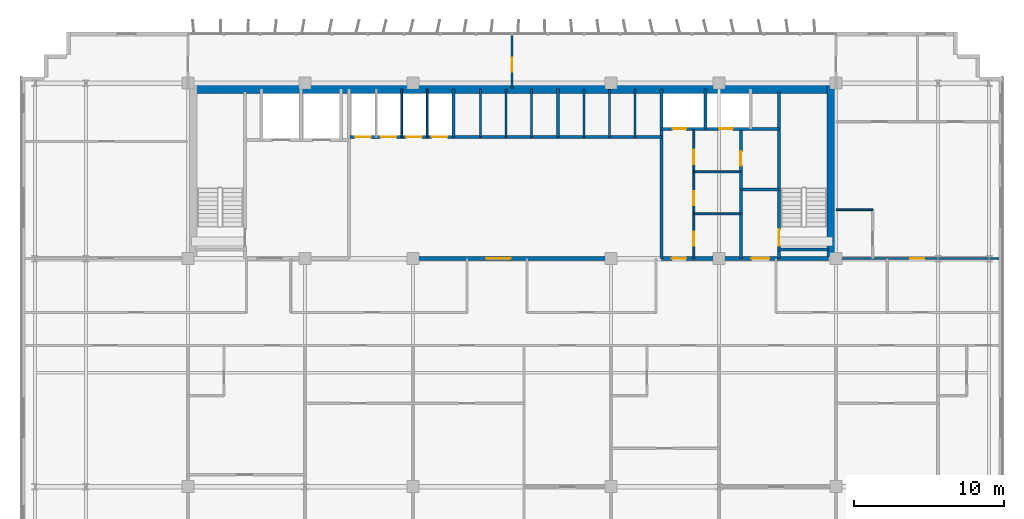
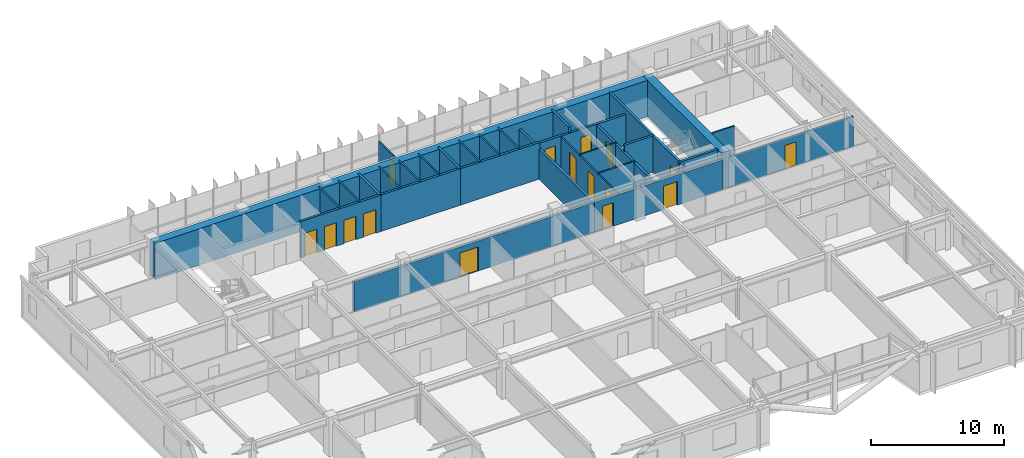
# One storey, part 22 of 26: 30 walls, 16 doors, 16 openings.
"""IFC4 building model written with IfcOpenShell, lengths in metres."""

from ifc_helpers import new_model, si_unit, direction, frame, frame_2d, origin, place, context, subcontext, project, spatial, rectangle, extrude, source, transform, mapped, material, layer, layer_set, type_object, element, fill, save


model = new_model("IFC4")

# Units and contexts
model_context = context("Model", 3, precision=1e-05, world=origin(), true_north=direction((0.0, 1.0)))
body_context = subcontext(model_context, "Body", "Model", "MODEL_VIEW")
ifc_project = project(units=[si_unit("LENGTHUNIT", "METRE"), si_unit("AREAUNIT", "SQUARE_METRE"), si_unit("VOLUMEUNIT", "CUBIC_METRE"), si_unit("PLANEANGLEUNIT", "RADIAN"), si_unit("MASSUNIT", "GRAM", prefix="KILO")], contexts=[model_context])

# Site, building, storey
site_placement = place(None, origin())
site = spatial("IfcSite", under=ifc_project, at=site_placement, CompositionType="ELEMENT")
building_placement = place(site_placement, origin())
building = spatial("IfcBuilding", under=site, at=building_placement, Name="Trelvane Seafront Commons", CompositionType="ELEMENT")
storey_placement = place(building_placement, frame((0.0, 0.0, 124.89990234375)))
storey = spatial("IfcBuildingStorey", under=building, at=storey_placement, Name="L32", CompositionType="ELEMENT", Elevation=124.89990234375)

# Wall, opening, door
ifc_material_1 = material(Name="Concrete C40/50", Category="concrete")
ifc_layer_1 = layer(ifc_material_1, 0.199951171875, Name="ARCH-WALL-FIRE200")
ifc_layer_set_1 = layer_set([ifc_layer_1], Name="Concrete C40/50")
wall_type_1 = type_object("IfcWallType", Name="ARCH-WALL-FIRE200", PredefinedType="PARTITIONING", material=ifc_layer_set_1)
wall_1_placement = place(storey_placement, frame((52.449951171875, 33.39990234375, 0.0), z_axis=(0.0, 0.0, 1.0), x_axis=(0.0, 1.0, 0.0)))
wall_1 = element("IfcWall", 1, at=wall_1_placement, inside=storey, type_object=wall_type_1, Name="W-L32-ST2V-W-033", PredefinedType="PARTITIONING", context=body_context, shape_type="SweptSolid", body=[
    extrude(rectangle(XDim=8.650146484375, YDim=0.199951171875, at=frame_2d((4.3251953125, 0.0))), origin(), (0.0, 0.0, 1.0), 2.752197265625),
])
opening_1_placement = place(wall_1_placement, frame((6.199951171875, 0.0, 0.0)))
opening_1 = element("IfcOpeningElement", 2, at=opening_1_placement, cuts=wall_1, Name="Opening FD-L32-13", PredefinedType="OPENING", context=body_context, shape_type="SweptSolid", body=[
    extrude(rectangle(XDim=0.949951171875, YDim=2.14990234375, at=frame_2d((0.47509765625, 1.074951171875))), frame((0.0, 0.10986328125, 0.0), z_axis=(0.0, -1.0, 0.0), x_axis=(1.0, 0.0, 0.0)), (0.0, 0.0, 1.0), 0.219970703125),
])
ifc_material_2 = material(Name="Powder-coated aluminium frame", Category="aluminium")
door_type_1 = type_object("IfcDoorType", Name="ARCH-DR-FD60-950", OperationType="NOTDEFINED", PredefinedType="DOOR", material=ifc_material_2)
shared_shape_1 = source(origin(), body_context, "Body", "SweptSolid", [
    extrude(rectangle(XDim=0.949951171875, YDim=2.14990234375, at=frame_2d((0.47509765625, 1.074951171875))), frame((0.0, 0.02490234375, 0.0), z_axis=(0.0, -1.0, 0.0), x_axis=(1.0, 0.0, 0.0)), (0.0, 0.0, 1.0), 0.050048828125),
])
door_1_placement = place(opening_1_placement, origin())
door_1 = element("IfcDoor", 3, at=door_1_placement, inside=storey, type_object=door_type_1, Name="L32 Cleaner Store Door", OperationType="SINGLE_SWING_LEFT", OverallHeight=2.14990234375, OverallWidth=0.949951171875, PredefinedType="DOOR", context=body_context, shape_type="MappedRepresentation", body=[
    mapped(shared_shape_1, transform((0.0, 0.0, 0.0), x_axis=(1.0, 0.0, 0.0), y_axis=(0.0, 1.0, 0.0), z_axis=(0.0, 0.0, 1.0), scale=1.0)),
])
fill(opening_1, door_1)

# Wall
wall_2_placement = place(storey_placement, frame((52.449951171875, 38.0, 0.0), z_axis=(0.0, 0.0, 1.0), x_axis=(1.0, 0.0, 0.0)))
element("IfcWall", 4, at=wall_2_placement, inside=storey, type_object=wall_type_1, Name="W-L32-ST2V-N-034", PredefinedType="PARTITIONING", context=body_context, shape_type="SweptSolid", body=[
    extrude(rectangle(XDim=2.550048828125, YDim=0.199951171875, at=frame_2d((1.27490234375, 0.0))), origin(), (0.0, 0.0, 1.0), 3.340087890625),
])

# Wall, opening, door
ifc_layer_2 = layer(ifc_material_1, 0.25, Name="ARCH-WALL-FIRE250")
ifc_layer_set_2 = layer_set([ifc_layer_2], Name="Concrete C40/50")
wall_type_2 = type_object("IfcWallType", Name="ARCH-WALL-FIRE250", PredefinedType="PARTITIONING", material=ifc_layer_set_2)
wall_3_placement = place(storey_placement, frame((26.300048828125, 33.39990234375, 0.0), z_axis=(0.0, 0.0, 1.0), x_axis=(1.0, 0.0, 0.0)))
wall_3 = element("IfcWall", 5, at=wall_3_placement, inside=storey, type_object=wall_type_2, Name="W-L32-CS-PAX-029", PredefinedType="PARTITIONING", context=body_context, shape_type="SweptSolid", body=[
    extrude(rectangle(XDim=20.849853515625, YDim=0.25, at=frame_2d((10.4248046875, 0.0))), origin(), (0.0, 0.0, 1.0), 2.752197265625),
])
opening_2_placement = place(wall_3_placement, frame((9.199951171875, 0.0, 0.0)))
opening_2 = element("IfcOpeningElement", 6, at=opening_2_placement, cuts=wall_3, Name="Opening FD-L32-10", PredefinedType="OPENING", context=body_context, shape_type="SweptSolid", body=[
    extrude(rectangle(XDim=1.60009765625, YDim=2.199951171875, at=frame_2d((0.800048828125, 1.10009765625))), frame((0.0, 0.135009765625, 0.0), z_axis=(0.0, -1.0, 0.0), x_axis=(1.0, 0.0, 0.0)), (0.0, 0.0, 1.0), 0.27001953125),
])
door_type_2 = type_object("IfcDoorType", Name="ARCH-DR-FD60-1600", OperationType="DOUBLE_DOOR_SINGLE_SWING", PredefinedType="DOOR", material=ifc_material_2)
shared_shape_2 = source(origin(), body_context, "Body", "SweptSolid", [
    extrude(rectangle(XDim=1.60009765625, YDim=2.199951171875, at=frame_2d((0.800048828125, 1.10009765625))), frame((0.0, 0.02490234375, 0.0), z_axis=(0.0, -1.0, 0.0), x_axis=(1.0, 0.0, 0.0)), (0.0, 0.0, 1.0), 0.050048828125),
])
door_2_placement = place(opening_2_placement, origin())
door_2 = element("IfcDoor", 7, at=door_2_placement, inside=storey, type_object=door_type_2, Name="L32 Passenger Lift Lobby Double Door", OperationType="DOUBLE_DOOR_SINGLE_SWING", OverallHeight=2.199951171875, OverallWidth=1.60009765625, PredefinedType="DOOR", context=body_context, shape_type="MappedRepresentation", body=[
    mapped(shared_shape_2, transform((0.0, 0.0, 0.0), x_axis=(1.0, 0.0, 0.0), y_axis=(0.0, 1.0, 0.0), z_axis=(0.0, 0.0, 1.0), scale=1.0)),
])
fill(opening_2, door_2)

# Wall, openings, doors
wall_4_placement = place(storey_placement, frame((47.14990234375, 33.39990234375, 0.0), z_axis=(0.0, 0.0, 1.0), x_axis=(1.0, 0.0, 0.0)))
wall_4 = element("IfcWall", 8, at=wall_4_placement, inside=storey, type_object=wall_type_2, Name="W-L32-CS-EAST-038", PredefinedType="PARTITIONING", context=body_context, shape_type="SweptSolid", body=[
    extrude(rectangle(XDim=11.150146484375, YDim=0.25, at=frame_2d((5.5751953125, 0.0))), origin(), (0.0, 0.0, 1.0), 2.752197265625),
])
opening_3_placement = place(wall_4_placement, frame((0.699951171875, 0.0, 0.0)))
opening_3 = element("IfcOpeningElement", 9, at=opening_3_placement, cuts=wall_4, Name="Opening FD-L32-17", PredefinedType="OPENING", context=body_context, shape_type="SweptSolid", body=[
    extrude(rectangle(XDim=0.949951171875, YDim=2.14990234375, at=frame_2d((0.47509765625, 1.074951171875))), frame((0.0, 0.135009765625, 0.0), z_axis=(0.0, -1.0, 0.0), x_axis=(1.0, 0.0, 0.0)), (0.0, 0.0, 1.0), 0.27001953125),
])
opening_4_placement = place(wall_4_placement, frame((6.0, 0.0, 0.0)))
opening_4 = element("IfcOpeningElement", 10, at=opening_4_placement, cuts=wall_4, Name="Opening FD-L32-18", PredefinedType="OPENING", context=body_context, shape_type="SweptSolid", body=[
    extrude(rectangle(XDim=1.199951171875, YDim=2.14990234375, at=frame_2d((0.60009765625, 1.074951171875))), frame((0.0, 0.135009765625, 0.0), z_axis=(0.0, -1.0, 0.0), x_axis=(1.0, 0.0, 0.0)), (0.0, 0.0, 1.0), 0.27001953125),
])
door_3_placement = place(opening_3_placement, origin())
door_3 = element("IfcDoor", 11, at=door_3_placement, inside=storey, type_object=door_type_1, Name="L32 Core Service Lobby Door", OperationType="SINGLE_SWING_LEFT", OverallHeight=2.14990234375, OverallWidth=0.949951171875, PredefinedType="DOOR", context=body_context, shape_type="MappedRepresentation", body=[
    mapped(shared_shape_1, transform((0.0, 0.0, 0.0), x_axis=(1.0, 0.0, 0.0), y_axis=(0.0, 1.0, 0.0), z_axis=(0.0, 0.0, 1.0), scale=1.0)),
])
fill(opening_3, door_3)
door_type_3 = type_object("IfcDoorType", Name="ARCH-DR-FD60-1200", OperationType="NOTDEFINED", PredefinedType="DOOR", material=ifc_material_2)
shared_shape_3 = source(origin(), body_context, "Body", "SweptSolid", [
    extrude(rectangle(XDim=1.199951171875, YDim=2.14990234375, at=frame_2d((0.60009765625, 1.074951171875))), frame((0.0, 0.02490234375, 0.0), z_axis=(0.0, -1.0, 0.0), x_axis=(1.0, 0.0, 0.0)), (0.0, 0.0, 1.0), 0.050048828125),
])
door_4_placement = place(opening_4_placement, origin())
door_4 = element("IfcDoor", 12, at=door_4_placement, inside=storey, type_object=door_type_3, Name="L32 East Stair Vestibule Fire Door", OperationType="SINGLE_SWING_RIGHT", OverallHeight=2.14990234375, OverallWidth=1.199951171875, PredefinedType="DOOR", context=body_context, shape_type="MappedRepresentation", body=[
    mapped(shared_shape_3, transform((0.0, 0.0, 0.0), x_axis=(1.0, 0.0, 0.0), y_axis=(0.0, 1.0, 0.0), z_axis=(0.0, 0.0, 1.0), scale=1.0)),
])
fill(opening_4, door_4)

# Walls
ifc_material_3 = material(Name="Gypsum Drywall Acoustic Partition")
ifc_layer_3 = layer(ifc_material_3, 0.1201171875, Name="ARCH-WALL-PART120")
ifc_layer_set_3 = layer_set([ifc_layer_3], Name="Gypsum Drywall Acoustic Partition")
wall_type_3 = type_object("IfcWallType", Name="ARCH-WALL-PART120", PredefinedType="PARTITIONING", material=ifc_layer_set_3)
for number, where, z_axis, x_axis, name in (
    (13, (29.85009765625, 41.5, 0.0), (0.0, 0.0, 1.0), (0.0, 1.0, 0.0), "W-L32-PL-DIV2-017"),
    (14, (31.550048828125, 41.5, 0.0), (0.0, 0.0, 1.0), (0.0, 1.0, 0.0), "W-L32-PL-DIV3-018"),
    (15, (35.10009765625, 41.5, 0.0), (0.0, 0.0, 1.0), (0.0, 1.0, 0.0), "W-L32-PM-DIV1-020"),
    (16, (36.800048828125, 41.5, 0.0), (0.0, 0.0, 1.0), (0.0, 1.0, 0.0), "W-L32-PM-DIV2-021"),
    (17, (38.5, 41.5, 0.0), (0.0, 0.0, 1.0), (0.0, 1.0, 0.0), "W-L32-PM-DIV3-022"),
    (18, (42.0, 41.5, 0.0), (0.0, 0.0, 1.0), (0.0, 1.0, 0.0), "W-L32-PH-DIV1-025"),
    (19, (43.699951171875, 41.5, 0.0), (0.0, 0.0, 1.0), (0.0, 1.0, 0.0), "W-L32-PH-DIV2-026"),
    (20, (45.39990234375, 41.5, 0.0), (0.0, 0.0, 1.0), (0.0, 1.0, 0.0), "W-L32-PH-DIV3-027"),
):
    element("IfcWall", number, at=place(storey_placement, frame(where, z_axis=z_axis, x_axis=x_axis)), inside=storey, type_object=wall_type_3, Name=name, PredefinedType="PARTITIONING", context=body_context, shape_type="SweptSolid", body=[
        extrude(rectangle(XDim=3.199951171875, YDim=0.1201171875, at=frame_2d((1.60009765625, 0.0))), origin(), (0.0, 0.0, 1.0), 3.340087890625),
    ])

# Wall, openings, doors
wall_5_placement = place(storey_placement, frame((49.320068359375, 33.39990234375, 0.0), z_axis=(0.0, 0.0, 1.0), x_axis=(0.0, 1.0, 0.0)))
wall_5 = element("IfcWall", 21, at=wall_5_placement, inside=storey, type_object=wall_type_3, Name="W-L32-CYC3-V-035", PredefinedType="PARTITIONING", context=body_context, shape_type="SweptSolid", body=[
    extrude(rectangle(XDim=8.60009765625, YDim=0.1201171875, at=frame_2d((4.300048828125, 0.0))), origin(), (0.0, 0.0, 1.0), 2.752197265625),
])
opening_5_placement = place(wall_5_placement, frame((0.85009765625, 0.0, 0.0)))
opening_5 = element("IfcOpeningElement", 22, at=opening_5_placement, cuts=wall_5, Name="Opening D-L32-14", PredefinedType="OPENING", context=body_context, shape_type="SweptSolid", body=[
    extrude(rectangle(XDim=0.949951171875, YDim=2.14990234375, at=frame_2d((0.47509765625, 1.074951171875))), frame((0.0, 0.070068359375, 0.0), z_axis=(0.0, -1.0, 0.0), x_axis=(1.0, 0.0, 0.0)), (0.0, 0.0, 1.0), 0.14013671875),
])
opening_6_placement = place(wall_5_placement, frame((3.550048828125, 0.0, 0.0)))
opening_6 = element("IfcOpeningElement", 23, at=opening_6_placement, cuts=wall_5, Name="Opening D-L32-15", PredefinedType="OPENING", context=body_context, shape_type="SweptSolid", body=[
    extrude(rectangle(XDim=0.949951171875, YDim=2.14990234375, at=frame_2d((0.47509765625, 1.074951171875))), frame((0.0, 0.070068359375, 0.0), z_axis=(0.0, -1.0, 0.0), x_axis=(1.0, 0.0, 0.0)), (0.0, 0.0, 1.0), 0.14013671875),
])
opening_7_placement = place(wall_5_placement, frame((6.300048828125, 0.0, 0.0)))
opening_7 = element("IfcOpeningElement", 24, at=opening_7_placement, cuts=wall_5, Name="Opening D-L32-16", PredefinedType="OPENING", context=body_context, shape_type="SweptSolid", body=[
    extrude(rectangle(XDim=0.949951171875, YDim=2.14990234375, at=frame_2d((0.47509765625, 1.074951171875))), frame((0.0, 0.070068359375, 0.0), z_axis=(0.0, -1.0, 0.0), x_axis=(1.0, 0.0, 0.0)), (0.0, 0.0, 1.0), 0.14013671875),
])
ifc_material_4 = material(Name="Acoustic timber door leaf", Category="wood")
door_type_4 = type_object("IfcDoorType", Name="ARCH-DR-INT950", OperationType="NOTDEFINED", PredefinedType="DOOR", material=ifc_material_4)
door_5_placement = place(opening_5_placement, origin())
door_5 = element("IfcDoor", 25, at=door_5_placement, inside=storey, type_object=door_type_4, Name="L32 Accessible WC Door", OperationType="SINGLE_SWING_RIGHT", OverallHeight=2.14990234375, OverallWidth=0.949951171875, PredefinedType="DOOR", context=body_context, shape_type="MappedRepresentation", body=[
    mapped(shared_shape_1, transform((0.0, 0.0, 0.0), x_axis=(1.0, 0.0, 0.0), y_axis=(0.0, 1.0, 0.0), z_axis=(0.0, 0.0, 1.0), scale=1.0)),
])
fill(opening_5, door_5)
door_6_placement = place(opening_6_placement, origin())
door_6 = element("IfcDoor", 26, at=door_6_placement, inside=storey, type_object=door_type_4, Name="L32 Staff WC Door", OperationType="SINGLE_SWING_LEFT", OverallHeight=2.14990234375, OverallWidth=0.949951171875, PredefinedType="DOOR", context=body_context, shape_type="MappedRepresentation", body=[
    mapped(shared_shape_1, transform((0.0, 0.0, 0.0), x_axis=(1.0, 0.0, 0.0), y_axis=(0.0, 1.0, 0.0), z_axis=(0.0, 0.0, 1.0), scale=1.0)),
])
fill(opening_6, door_6)
door_7_placement = place(opening_7_placement, origin())
door_7 = element("IfcDoor", 27, at=door_7_placement, inside=storey, type_object=door_type_4, Name="L32 Electrical Room Door", OperationType="SINGLE_SWING_RIGHT", OverallHeight=2.14990234375, OverallWidth=0.949951171875, PredefinedType="DOOR", context=body_context, shape_type="MappedRepresentation", body=[
    mapped(shared_shape_1, transform((0.0, 0.0, 0.0), x_axis=(1.0, 0.0, 0.0), y_axis=(0.0, 1.0, 0.0), z_axis=(0.0, 0.0, 1.0), scale=1.0)),
])
fill(opening_7, door_7)

# Walls
for number, where, z_axis, x_axis, name in (
    (28, (49.320068359375, 36.3798828125, 0.0), (0.0, 0.0, 1.0), (1.0, 0.0, 0.0), "W-L32-CYC3-H1-036"),
    (29, (49.320068359375, 39.179931640625, 0.0), (0.0, 0.0, 1.0), (1.0, 0.0, 0.0), "W-L32-CYC3-H2-037"),
):
    element("IfcWall", number, at=place(storey_placement, frame(where, z_axis=z_axis, x_axis=x_axis)), inside=storey, type_object=wall_type_3, Name=name, PredefinedType="PARTITIONING", context=body_context, shape_type="SweptSolid", body=[
        extrude(rectangle(XDim=3.1298828125, YDim=0.1201171875, at=frame_2d((1.56494140625, 0.0))), origin(), (0.0, 0.0, 1.0), 2.840087890625),
    ])
wall_6_placement = place(storey_placement, frame((58.800048828125, 36.64990234375, 0.0), z_axis=(0.0, 0.0, 1.0), x_axis=(1.0, 0.0, 0.0)))
element("IfcWall", 30, at=wall_6_placement, inside=storey, type_object=wall_type_3, Name="W-L32-NE-BN-053", PredefinedType="PARTITIONING", context=body_context, shape_type="SweptSolid", body=[
    extrude(rectangle(XDim=2.449951171875, YDim=0.1201171875, at=frame_2d((1.22509765625, 0.0))), origin(), (0.0, 0.0, 1.0), 2.840087890625),
])

# Wall, opening, door
wall_7_placement = place(storey_placement, frame((37.199951171875, 44.75, 0.0), z_axis=(0.0, 0.0, 1.0), x_axis=(0.0, 1.0, 0.0)))
wall_7 = element("IfcWall", 31, at=wall_7_placement, inside=storey, type_object=wall_type_3, Name="W-L32-N-MID-DV-058", PredefinedType="PARTITIONING", context=body_context, shape_type="SweptSolid", body=[
    extrude(rectangle(XDim=3.610107421875, YDim=0.1201171875, at=frame_2d((1.80517578125, 0.0))), origin(), (0.0, 0.0, 1.0), 2.752197265625),
])
opening_8_placement = place(wall_7_placement, frame((1.10009765625, 0.0, 0.0)))
opening_8 = element("IfcOpeningElement", 32, at=opening_8_placement, cuts=wall_7, Name="Opening D-L32-30", PredefinedType="OPENING", context=body_context, shape_type="SweptSolid", body=[
    extrude(rectangle(XDim=0.949951171875, YDim=2.14990234375, at=frame_2d((0.47509765625, 1.074951171875))), frame((0.0, 0.070068359375, 0.0), z_axis=(0.0, -1.0, 0.0), x_axis=(1.0, 0.0, 0.0)), (0.0, 0.0, 1.0), 0.14013671875),
])
door_8_placement = place(opening_8_placement, origin())
door_8 = element("IfcDoor", 33, at=door_8_placement, inside=storey, type_object=door_type_4, Name="L32 Door 30", OperationType="SINGLE_SWING_RIGHT", OverallHeight=2.14990234375, OverallWidth=0.949951171875, PredefinedType="DOOR", context=body_context, shape_type="MappedRepresentation", body=[
    mapped(shared_shape_1, transform((0.0, 0.0, 0.0), x_axis=(1.0, 0.0, 0.0), y_axis=(0.0, 1.0, 0.0), z_axis=(0.0, 0.0, 1.0), scale=1.0)),
])
fill(opening_8, door_8)

ifc_layer_4 = layer(ifc_material_3, 0.14990234375, Name="ARCH-WALL-PART150")
ifc_layer_set_4 = layer_set([ifc_layer_4], Name="Gypsum Drywall Acoustic Partition")
wall_type_4 = type_object("IfcWallType", Name="ARCH-WALL-PART150", PredefinedType="PARTITIONING", material=ifc_layer_set_4)
wall_8_placement = place(storey_placement, frame((58.800048828125, 33.39990234375, 0.0), z_axis=(0.0, 0.0, 1.0), x_axis=(1.0, 0.0, 0.0)))
wall_8 = element("IfcWall", 34, at=wall_8_placement, inside=storey, type_object=wall_type_4, Name="W-L32-NE-ENT-057", PredefinedType="PARTITIONING", context=body_context, shape_type="SweptSolid", body=[
    extrude(rectangle(XDim=10.849853515625, YDim=0.14990234375, at=frame_2d((5.4248046875, 0.0))), origin(), (0.0, 0.0, 1.0), 2.752197265625),
])
opening_9_placement = place(wall_8_placement, frame((4.93310546875, 0.0, 0.0)))
opening_9 = element("IfcOpeningElement", 35, at=opening_9_placement, cuts=wall_8, Name="Opening FD-L32-29", PredefinedType="OPENING", context=body_context, shape_type="SweptSolid", body=[
    extrude(rectangle(XDim=0.949951171875, YDim=2.14990234375, at=frame_2d((0.47509765625, 1.074951171875))), frame((0.0, 0.0849609375, 0.0), z_axis=(0.0, -1.0, 0.0), x_axis=(1.0, 0.0, 0.0)), (0.0, 0.0, 1.0), 0.169921875),
])
door_9_placement = place(opening_9_placement, origin())
door_9 = element("IfcDoor", 36, at=door_9_placement, inside=storey, type_object=door_type_1, Name="L32 NE Flat Entrance Door", OperationType="SINGLE_SWING_LEFT", OverallHeight=2.14990234375, OverallWidth=0.949951171875, PredefinedType="DOOR", context=body_context, shape_type="MappedRepresentation", body=[
    mapped(shared_shape_1, transform((0.0, 0.0, 0.0), x_axis=(1.0, 0.0, 0.0), y_axis=(0.0, 1.0, 0.0), z_axis=(0.0, 0.0, 1.0), scale=1.0)),
])
fill(opening_9, door_9)

# Wall, openings, doors
ifc_layer_5 = layer(ifc_material_1, 0.199951171875, Name="ARCH-WALL-SHAFT200")
ifc_layer_set_5 = layer_set([ifc_layer_5], Name="Concrete C40/50")
wall_type_5 = type_object("IfcWallType", Name="ARCH-WALL-SHAFT200", PredefinedType="SOLIDWALL", material=ifc_layer_set_5)
wall_9_placement = place(storey_placement, frame((26.39990234375, 41.5, 0.0), z_axis=(0.0, 0.0, 1.0), x_axis=(1.0, 0.0, 0.0)))
wall_9 = element("IfcWall", 37, at=wall_9_placement, inside=storey, type_object=wall_type_5, Name="W-L32-PL-FRONT-014", PredefinedType="SOLIDWALL", context=body_context, shape_type="SweptSolid", body=[
    extrude(rectangle(XDim=6.9501953125, YDim=0.199951171875, at=frame_2d((3.47509765625, 0.0))), origin(), (0.0, 0.0, 1.0), 3.340087890625),
])
opening_10_placement = place(wall_9_placement, frame((0.35009765625, 0.0, 0.0)))
opening_10 = element("IfcOpeningElement", 38, at=opening_10_placement, cuts=wall_9, Name="Opening LD-PL1-L32", PredefinedType="OPENING", context=body_context, shape_type="SweptSolid", body=[
    extrude(rectangle(XDim=1.050048828125, YDim=2.14990234375, at=frame_2d((0.52490234375, 1.074951171875))), frame((0.0, 0.10986328125, 0.0), z_axis=(0.0, -1.0, 0.0), x_axis=(1.0, 0.0, 0.0)), (0.0, 0.0, 1.0), 0.219970703125),
])
opening_11_placement = place(wall_9_placement, frame((2.050048828125, 0.0, 0.0)))
opening_11 = element("IfcOpeningElement", 39, at=opening_11_placement, cuts=wall_9, Name="Opening LD-PL2-L32", PredefinedType="OPENING", context=body_context, shape_type="SweptSolid", body=[
    extrude(rectangle(XDim=1.050048828125, YDim=2.14990234375, at=frame_2d((0.52490234375, 1.074951171875))), frame((0.0, 0.10986328125, 0.0), z_axis=(0.0, -1.0, 0.0), x_axis=(1.0, 0.0, 0.0)), (0.0, 0.0, 1.0), 0.219970703125),
])
opening_12_placement = place(wall_9_placement, frame((3.75, 0.0, 0.0)))
opening_12 = element("IfcOpeningElement", 40, at=opening_12_placement, cuts=wall_9, Name="Opening LD-PL3-L32", PredefinedType="OPENING", context=body_context, shape_type="SweptSolid", body=[
    extrude(rectangle(XDim=1.050048828125, YDim=2.14990234375, at=frame_2d((0.52490234375, 1.074951171875))), frame((0.0, 0.10986328125, 0.0), z_axis=(0.0, -1.0, 0.0), x_axis=(1.0, 0.0, 0.0)), (0.0, 0.0, 1.0), 0.219970703125),
])
opening_13_placement = place(wall_9_placement, frame((5.449951171875, 0.0, 0.0)))
opening_13 = element("IfcOpeningElement", 41, at=opening_13_placement, cuts=wall_9, Name="Opening LD-PL4-L32", PredefinedType="OPENING", context=body_context, shape_type="SweptSolid", body=[
    extrude(rectangle(XDim=1.050048828125, YDim=2.14990234375, at=frame_2d((0.52490234375, 1.074951171875))), frame((0.0, 0.10986328125, 0.0), z_axis=(0.0, -1.0, 0.0), x_axis=(1.0, 0.0, 0.0)), (0.0, 0.0, 1.0), 0.219970703125),
])
ifc_material_5 = material(Name="Stainless steel balustrade", Category="steel")
door_type_5 = type_object("IfcDoorType", Name="ARCH-DR-LD1050", OperationType="DOUBLE_DOOR_SLIDING", PredefinedType="DOOR", material=ifc_material_5)
shared_shape_4 = source(origin(), body_context, "Body", "SweptSolid", [
    extrude(rectangle(XDim=1.050048828125, YDim=2.14990234375, at=frame_2d((0.52490234375, 1.074951171875))), frame((0.0, 0.02490234375, 0.0), z_axis=(0.0, -1.0, 0.0), x_axis=(1.0, 0.0, 0.0)), (0.0, 0.0, 1.0), 0.050048828125),
])
door_10_placement = place(opening_10_placement, origin())
door_10 = element("IfcDoor", 42, at=door_10_placement, inside=storey, type_object=door_type_5, Name="L32 Passenger Lift PL-1 Landing Door", OperationType="DOUBLE_DOOR_SLIDING", OverallHeight=2.14990234375, OverallWidth=1.050048828125, PredefinedType="DOOR", context=body_context, shape_type="MappedRepresentation", body=[
    mapped(shared_shape_4, transform((0.0, 0.0, 0.0), x_axis=(1.0, 0.0, 0.0), y_axis=(0.0, 1.0, 0.0), z_axis=(0.0, 0.0, 1.0), scale=1.0)),
])
fill(opening_10, door_10)
door_11_placement = place(opening_11_placement, origin())
door_11 = element("IfcDoor", 43, at=door_11_placement, inside=storey, type_object=door_type_5, Name="L32 Passenger Lift PL-2 Landing Door", OperationType="DOUBLE_DOOR_SLIDING", OverallHeight=2.14990234375, OverallWidth=1.050048828125, PredefinedType="DOOR", context=body_context, shape_type="MappedRepresentation", body=[
    mapped(shared_shape_4, transform((0.0, 0.0, 0.0), x_axis=(1.0, 0.0, 0.0), y_axis=(0.0, 1.0, 0.0), z_axis=(0.0, 0.0, 1.0), scale=1.0)),
])
fill(opening_11, door_11)
door_12_placement = place(opening_12_placement, origin())
door_12 = element("IfcDoor", 44, at=door_12_placement, inside=storey, type_object=door_type_5, Name="L32 Passenger Lift PL-3 Landing Door", OperationType="DOUBLE_DOOR_SLIDING", OverallHeight=2.14990234375, OverallWidth=1.050048828125, PredefinedType="DOOR", context=body_context, shape_type="MappedRepresentation", body=[
    mapped(shared_shape_4, transform((0.0, 0.0, 0.0), x_axis=(1.0, 0.0, 0.0), y_axis=(0.0, 1.0, 0.0), z_axis=(0.0, 0.0, 1.0), scale=1.0)),
])
fill(opening_12, door_12)
door_13_placement = place(opening_13_placement, origin())
door_13 = element("IfcDoor", 45, at=door_13_placement, inside=storey, type_object=door_type_5, Name="L32 Passenger Lift PL-4 Landing Door", OperationType="DOUBLE_DOOR_SLIDING", OverallHeight=2.14990234375, OverallWidth=1.050048828125, PredefinedType="DOOR", context=body_context, shape_type="MappedRepresentation", body=[
    mapped(shared_shape_4, transform((0.0, 0.0, 0.0), x_axis=(1.0, 0.0, 0.0), y_axis=(0.0, 1.0, 0.0), z_axis=(0.0, 0.0, 1.0), scale=1.0)),
])
fill(opening_13, door_13)

# Walls
wall_10_placement = place(storey_placement, frame((33.300048828125, 41.5, 0.0), z_axis=(0.0, 0.0, 1.0), x_axis=(0.0, 1.0, 0.0)))
element("IfcWall", 46, at=wall_10_placement, inside=storey, type_object=wall_type_5, Name="W-L32-PL-EAST-SH-015", PredefinedType="SOLIDWALL", context=body_context, shape_type="SweptSolid", body=[
    extrude(rectangle(XDim=3.199951171875, YDim=0.199951171875, at=frame_2d((1.60009765625, 0.0))), origin(), (0.0, 0.0, 1.0), 3.340087890625),
])
for number, where, z_axis, x_axis, name in (
    (47, (33.35009765625, 41.5, 0.0), (0.0, 0.0, 1.0), (1.0, 0.0, 0.0), "W-L32-PM-FRONT-019"),
    (48, (40.25, 41.5, 0.0), (0.0, 0.0, 1.0), (1.0, 0.0, 0.0), "W-L32-PH-FRONT-023"),
):
    element("IfcWall", number, at=place(storey_placement, frame(where, z_axis=z_axis, x_axis=x_axis)), inside=storey, type_object=wall_type_5, Name=name, PredefinedType="SOLIDWALL", context=body_context, shape_type="SweptSolid", body=[
        extrude(rectangle(XDim=6.89990234375, YDim=0.199951171875, at=frame_2d((3.449951171875, 0.0))), origin(), (0.0, 0.0, 1.0), 3.340087890625),
    ])
wall_11_placement = place(storey_placement, frame((40.25, 41.5, 0.0), z_axis=(0.0, 0.0, 1.0), x_axis=(0.0, 1.0, 0.0)))
element("IfcWall", 49, at=wall_11_placement, inside=storey, type_object=wall_type_5, Name="W-L32-PH-WEST-SH-024", PredefinedType="SOLIDWALL", context=body_context, shape_type="SweptSolid", body=[
    extrude(rectangle(XDim=3.199951171875, YDim=0.199951171875, at=frame_2d((1.60009765625, 0.0))), origin(), (0.0, 0.0, 1.0), 3.340087890625),
])
wall_12_placement = place(storey_placement, frame((47.14990234375, 33.39990234375, 0.0), z_axis=(0.0, 0.0, 1.0), x_axis=(0.0, 1.0, 0.0)))
element("IfcWall", 50, at=wall_12_placement, inside=storey, type_object=wall_type_5, Name="W-L32-PH-EAST-028", PredefinedType="SOLIDWALL", context=body_context, shape_type="SweptSolid", body=[
    extrude(rectangle(XDim=11.300048828125, YDim=0.199951171875, at=frame_2d((5.64990234375, 0.0))), origin(), (0.0, 0.0, 1.0), 2.752197265625),
])

# Wall, openings, doors
wall_13_placement = place(storey_placement, frame((47.14990234375, 42.050048828125, 0.0), z_axis=(0.0, 0.0, 1.0), x_axis=(1.0, 0.0, 0.0)))
wall_13 = element("IfcWall", 51, at=wall_13_placement, inside=storey, type_object=wall_type_5, Name="W-L32-RSR-S-030", PredefinedType="SOLIDWALL", context=body_context, shape_type="SweptSolid", body=[
    extrude(rectangle(XDim=7.85009765625, YDim=0.199951171875, at=frame_2d((3.925048828125, 0.0))), origin(), (0.0, 0.0, 1.0), 2.840087890625),
])
opening_14_placement = place(wall_13_placement, frame((0.75, 0.0, 0.0)))
opening_14 = element("IfcOpeningElement", 52, at=opening_14_placement, cuts=wall_13, Name="Opening FD-L32-11", PredefinedType="OPENING", context=body_context, shape_type="SweptSolid", body=[
    extrude(rectangle(XDim=0.89990234375, YDim=2.10009765625, at=frame_2d((0.449951171875, 1.050048828125))), frame((0.0, 0.10986328125, 0.0), z_axis=(0.0, -1.0, 0.0), x_axis=(1.0, 0.0, 0.0)), (0.0, 0.0, 1.0), 0.219970703125),
])
opening_15_placement = place(wall_13_placement, frame((3.85009765625, 0.0, 0.0)))
opening_15 = element("IfcOpeningElement", 53, at=opening_15_placement, cuts=wall_13, Name="Opening FD-L32-12", PredefinedType="OPENING", context=body_context, shape_type="SweptSolid", body=[
    extrude(rectangle(XDim=0.89990234375, YDim=2.10009765625, at=frame_2d((0.449951171875, 1.050048828125))), frame((0.0, 0.10986328125, 0.0), z_axis=(0.0, -1.0, 0.0), x_axis=(1.0, 0.0, 0.0)), (0.0, 0.0, 1.0), 0.219970703125),
])
door_type_6 = type_object("IfcDoorType", Name="ARCH-DR-FD60-900", OperationType="NOTDEFINED", PredefinedType="DOOR", material=ifc_material_2)
shared_shape_5 = source(origin(), body_context, "Body", "SweptSolid", [
    extrude(rectangle(XDim=0.89990234375, YDim=2.10009765625, at=frame_2d((0.449951171875, 1.050048828125))), frame((0.0, 0.02490234375, 0.0), z_axis=(0.0, -1.0, 0.0), x_axis=(1.0, 0.0, 0.0)), (0.0, 0.0, 1.0), 0.050048828125),
])
door_14_placement = place(opening_14_placement, origin())
door_14 = element("IfcDoor", 54, at=door_14_placement, inside=storey, type_object=door_type_6, Name="L32 Electrical Riser Access Door", OperationType="SINGLE_SWING_LEFT", OverallHeight=2.10009765625, OverallWidth=0.89990234375, PredefinedType="DOOR", context=body_context, shape_type="MappedRepresentation", body=[
    mapped(shared_shape_5, transform((0.0, 0.0, 0.0), x_axis=(1.0, 0.0, 0.0), y_axis=(0.0, 1.0, 0.0), z_axis=(0.0, 0.0, 1.0), scale=1.0)),
])
fill(opening_14, door_14)
door_15_placement = place(opening_15_placement, origin())
door_15 = element("IfcDoor", 55, at=door_15_placement, inside=storey, type_object=door_type_6, Name="L32 Mechanical Riser Access Door", OperationType="SINGLE_SWING_RIGHT", OverallHeight=2.10009765625, OverallWidth=0.89990234375, PredefinedType="DOOR", context=body_context, shape_type="MappedRepresentation", body=[
    mapped(shared_shape_5, transform((0.0, 0.0, 0.0), x_axis=(1.0, 0.0, 0.0), y_axis=(0.0, 1.0, 0.0), z_axis=(0.0, 0.0, 1.0), scale=1.0)),
])
fill(opening_15, door_15)

# Walls
wall_14_placement = place(storey_placement, frame((50.080078125, 42.050048828125, 0.0), z_axis=(0.0, 0.0, 1.0), x_axis=(0.0, 1.0, 0.0)))
element("IfcWall", 56, at=wall_14_placement, inside=storey, type_object=wall_type_5, Name="W-L32-RSR-DIV-031", PredefinedType="SOLIDWALL", context=body_context, shape_type="SweptSolid", body=[
    extrude(rectangle(XDim=2.64990234375, YDim=0.199951171875, at=frame_2d((1.324951171875, 0.0))), origin(), (0.0, 0.0, 1.0), 3.340087890625),
])
ifc_material_6 = material(Name="Concrete C60/75", Category="concrete")
ifc_layer_6 = layer(ifc_material_6, 0.699951171875, Name="STR-WALL-CORE700")
ifc_layer_set_6 = layer_set([ifc_layer_6], Name="Concrete C60/75")
wall_type_6 = type_object("IfcWallType", Name="STR-WALL-CORE700", PredefinedType="SHEAR", material=ifc_layer_set_6)
wall_15_placement = place(storey_placement, frame((15.5, 44.75, 0.0), z_axis=(0.0, 0.0, 1.0), x_axis=(1.0, 0.0, 0.0)))
element("IfcWall", 57, at=wall_15_placement, inside=storey, type_object=wall_type_6, Name="W-L32-CN-ALL-001", PredefinedType="SHEAR", context=body_context, shape_type="SweptSolid", body=[
    extrude(rectangle(XDim=43.39990234375, YDim=0.699951171875, at=frame_2d((21.699951171875, 0.0))), origin(), (0.0, 0.0, 1.0), 3.340087890625),
])
wall_16_placement = place(storey_placement, frame((58.550048828125, 33.39990234375, 0.0), z_axis=(0.0, 0.0, 1.0), x_axis=(0.0, 1.0, 0.0)))
element("IfcWall", 58, at=wall_16_placement, inside=storey, type_object=wall_type_6, Name="W-L32-CE-END-003", PredefinedType="SHEAR", context=body_context, shape_type="SweptSolid", body=[
    extrude(rectangle(XDim=11.7001953125, YDim=0.699951171875, at=frame_2d((5.85009765625, 0.0))), origin(), (0.0, 0.0, 1.0), 3.340087890625),
])
ifc_material_7 = material(Name="Concrete C50/60", Category="concrete")
ifc_layer_7 = layer(ifc_material_7, 0.199951171875, Name="STR-WALL-STAIR200")
ifc_layer_set_7 = layer_set([ifc_layer_7], Name="Concrete C50/60")
wall_type_7 = type_object("IfcWallType", Name="STR-WALL-STAIR200", PredefinedType="SHEAR", material=ifc_layer_set_7)
wall_17_placement = place(storey_placement, frame((54.89990234375, 34.0, 0.0), z_axis=(0.0, 0.0, 1.0), x_axis=(1.0, 0.0, 0.0)))
element("IfcWall", 59, at=wall_17_placement, inside=storey, type_object=wall_type_7, Name="W-L32-ST2-S-006", PredefinedType="SHEAR", context=body_context, shape_type="SweptSolid", body=[
    extrude(rectangle(XDim=3.400146484375, YDim=0.199951171875, at=frame_2d((1.7001953125, 0.0))), origin(), (0.0, 0.0, 1.0), 3.340087890625),
])

# Wall, opening, door
wall_18_placement = place(storey_placement, frame((55.0, 33.39990234375, 0.0), z_axis=(0.0, 0.0, 1.0), x_axis=(0.0, 1.0, 0.0)))
wall_18 = element("IfcWall", 60, at=wall_18_placement, inside=storey, type_object=wall_type_7, Name="W-L32-ST2-W-007", PredefinedType="SHEAR", context=body_context, shape_type="SweptSolid", body=[
    extrude(rectangle(XDim=11.10009765625, YDim=0.199951171875, at=frame_2d((5.550048828125, 0.0))), origin(), (0.0, 0.0, 1.0), 3.340087890625),
])
opening_16_placement = place(wall_18_placement, frame((0.85009765625, 0.0, 0.0)))
opening_16 = element("IfcOpeningElement", 61, at=opening_16_placement, cuts=wall_18, Name="Opening ST-D2-L32", PredefinedType="OPENING", context=body_context, shape_type="SweptSolid", body=[
    extrude(rectangle(XDim=1.10009765625, YDim=2.14990234375, at=frame_2d((0.550048828125, 1.074951171875))), frame((0.0, 0.10986328125, 0.0), z_axis=(0.0, -1.0, 0.0), x_axis=(1.0, 0.0, 0.0)), (0.0, 0.0, 1.0), 0.219970703125),
])
door_type_7 = type_object("IfcDoorType", Name="ARCH-DR-FD90-1100", OperationType="NOTDEFINED", PredefinedType="DOOR", material=ifc_material_2)
shared_shape_6 = source(origin(), body_context, "Body", "SweptSolid", [
    extrude(rectangle(XDim=1.10009765625, YDim=2.14990234375, at=frame_2d((0.550048828125, 1.074951171875))), frame((0.0, 0.02490234375, 0.0), z_axis=(0.0, -1.0, 0.0), x_axis=(1.0, 0.0, 0.0)), (0.0, 0.0, 1.0), 0.050048828125),
])
door_16_placement = place(opening_16_placement, origin())
door_16 = element("IfcDoor", 62, at=door_16_placement, inside=storey, type_object=door_type_7, Name="L32 Stair ST-2 Vestibule Fire Door", OperationType="SINGLE_SWING_RIGHT", OverallHeight=2.14990234375, OverallWidth=1.10009765625, PredefinedType="DOOR", context=body_context, shape_type="MappedRepresentation", body=[
    mapped(shared_shape_6, transform((0.0, 0.0, 0.0), x_axis=(1.0, 0.0, 0.0), y_axis=(0.0, 1.0, 0.0), z_axis=(0.0, 0.0, 1.0), scale=1.0)),
])
fill(opening_16, door_16)

save(model, "model.ifc")
